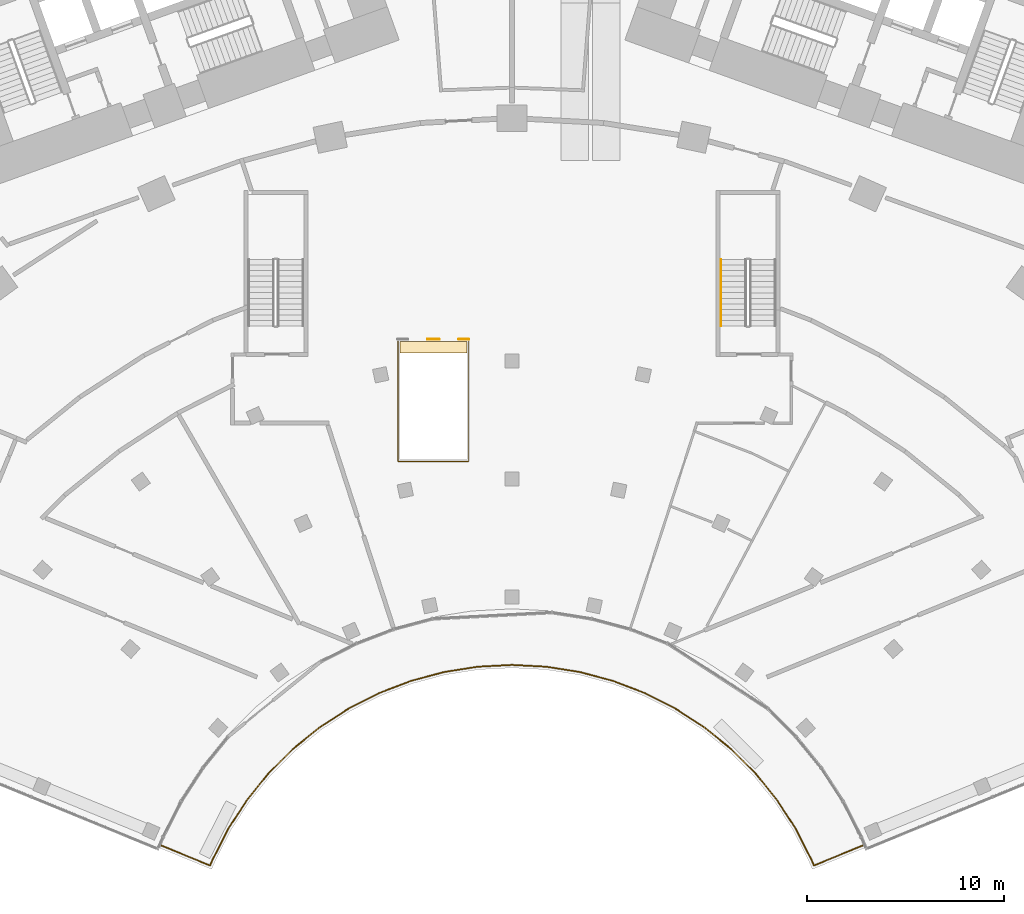
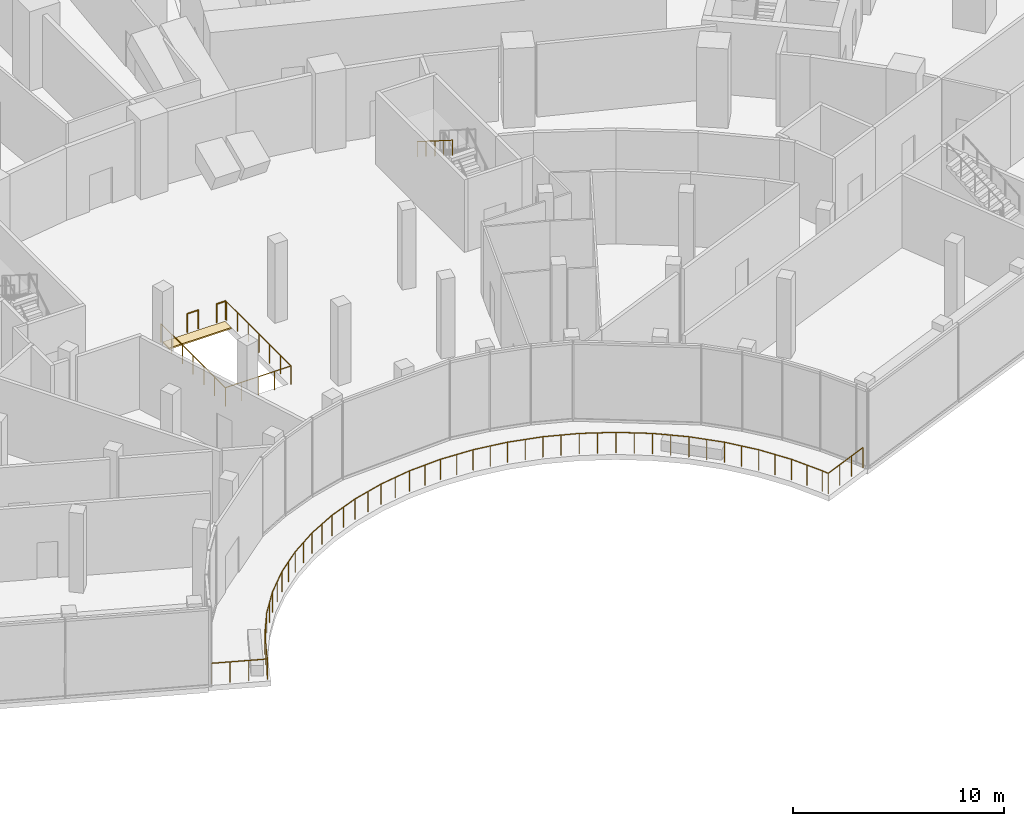
# One storey, part 35 of 40: 5 railings, 1 covering.
"""IFC4 building model written with IfcOpenShell, lengths in metres."""

from ifc_helpers import new_model, si_unit, direction, frame, origin, origin_2d, place, context, subcontext, project, spatial, polyline, circle, outline, extrude, material, layer, layer_set, type_object, element, save


model = new_model("IFC4")

# Units and contexts
model_context = context("Model", 3, precision=1e-05, world=origin(), true_north=direction((0.0, 1.0)))
body_context = subcontext(model_context, "Body", "Model", "MODEL_VIEW")
ifc_project = project(units=[si_unit("LENGTHUNIT", "METRE"), si_unit("AREAUNIT", "SQUARE_METRE"), si_unit("VOLUMEUNIT", "CUBIC_METRE"), si_unit("PLANEANGLEUNIT", "RADIAN"), si_unit("MASSUNIT", "GRAM", prefix="KILO")], contexts=[model_context])

# Site, building, storey
site_placement = place(None, origin())
site = spatial("IfcSite", under=ifc_project, at=site_placement, CompositionType="ELEMENT")
building_placement = place(site_placement, origin())
building = spatial("IfcBuilding", under=site, at=building_placement, Name="Stone Belt Terrace Tower", CompositionType="ELEMENT")
storey_placement = place(building_placement, frame((0.0, 0.0, 7.0)))
storey = spatial("IfcBuildingStorey", under=building, at=storey_placement, Name="L01", CompositionType="ELEMENT", Elevation=7.0)

# Covering
ifc_material_1 = material(Name="Stainless steel floor plate", Category="steel")
ifc_layer = layer(ifc_material_1, 0.080078125)
ifc_layer_set = layer_set([ifc_layer], Name="Escalator landing plate 80")
covering_type = type_object("IfcCoveringType", Name="Escalator landing plate 80", PredefinedType="FLOORING", material=ifc_layer_set)
covering_placement = place(storey_placement, frame((0.0, 0.0, -0.080078125)))
element("IfcCovering", 1, at=covering_placement, inside=storey, type_object=covering_type, Name="Escalator E1 landing plate", PredefinedType="FLOORING", context=body_context, shape_type="SweptSolid", body=[
    extrude(outline(polyline([(-5.699951171875, 32.5), (-5.699951171875, 33.10009765625), (-2.300048828125, 33.10009765625), (-2.300048828125, 32.5), (-5.699951171875, 32.5)])), origin(), (0.0, 0.0, 1.0), 0.080078125),
])

# Railings
ifc_material_2 = material(Name="Glass and stainless steel balustrade", Category="steel")
railing_type_1 = type_object("IfcRailingType", Name="Podium guard 1100", PredefinedType="GUARDRAIL", material=ifc_material_2)
railing_1_placement = place(storey_placement, frame((-5.800048828125, 33.10009765625, 0.0)))
element("IfcRailing", 2, at=railing_1_placement, inside=storey, type_object=railing_type_1, Name="Escalator E1 opening guard", PredefinedType="GUARDRAIL", context=body_context, shape_type="SweptSolid", body=[
    extrude(circle(Radius=0.02392578125, at=origin_2d()), frame((0.0, 0.0, 1.076171875), z_axis=(0.0, -1.0, 0.0), x_axis=(1.0, 0.0, 0.0)), (0.0, 0.0, 1.0), 6.10009765625),
    extrude(circle(Radius=0.02392578125, at=origin_2d()), frame((0.0, -6.10009765625, 1.076171875), z_axis=(1.0, 0.0, 0.0), x_axis=(0.0, 1.0, 0.0)), (0.0, 0.0, 1.0), 3.60009765625),
    extrude(circle(Radius=0.02392578125, at=origin_2d()), frame((3.60009765625, -6.10009765625, 1.076171875), z_axis=(0.0, 1.0, 0.0), x_axis=(-1.0, 0.0, 0.0)), (0.0, 0.0, 1.0), 6.10009765625),
    extrude(circle(Radius=0.02099609375, at=origin_2d()), origin(), (0.0, 0.0, 1.0), 1.052001953125),
    extrude(circle(Radius=0.02099609375, at=origin_2d()), frame((0.0, -1.0166015625, 0.0)), (0.0, 0.0, 1.0), 1.052001953125),
    extrude(circle(Radius=0.02099609375, at=origin_2d()), frame((0.0, -2.033447265625, 0.0)), (0.0, 0.0, 1.0), 1.052001953125),
    extrude(circle(Radius=0.02099609375, at=origin_2d()), frame((0.0, -3.050048828125, 0.0)), (0.0, 0.0, 1.0), 1.052001953125),
    extrude(circle(Radius=0.02099609375, at=origin_2d()), frame((0.0, -4.066650390625, 0.0)), (0.0, 0.0, 1.0), 1.052001953125),
    extrude(circle(Radius=0.02099609375, at=origin_2d()), frame((0.0, -5.08349609375, 0.0)), (0.0, 0.0, 1.0), 1.052001953125),
    extrude(circle(Radius=0.02099609375, at=origin_2d()), frame((0.0, -6.10009765625, 0.0)), (0.0, 0.0, 1.0), 1.052001953125),
    extrude(circle(Radius=0.02099609375, at=origin_2d()), frame((0.89990234375, -6.10009765625, 0.0)), (0.0, 0.0, 1.0), 1.052001953125),
    extrude(circle(Radius=0.02099609375, at=origin_2d()), frame((1.800048828125, -6.10009765625, 0.0)), (0.0, 0.0, 1.0), 1.052001953125),
    extrude(circle(Radius=0.02099609375, at=origin_2d()), frame((2.7001953125, -6.10009765625, 0.0)), (0.0, 0.0, 1.0), 1.052001953125),
    extrude(circle(Radius=0.02099609375, at=origin_2d()), frame((3.60009765625, -6.10009765625, 0.0)), (0.0, 0.0, 1.0), 1.052001953125),
    extrude(circle(Radius=0.02099609375, at=origin_2d()), frame((3.60009765625, -5.08349609375, 0.0)), (0.0, 0.0, 1.0), 1.052001953125),
    extrude(circle(Radius=0.02099609375, at=origin_2d()), frame((3.60009765625, -4.066650390625, 0.0)), (0.0, 0.0, 1.0), 1.052001953125),
    extrude(circle(Radius=0.02099609375, at=origin_2d()), frame((3.60009765625, -3.050048828125, 0.0)), (0.0, 0.0, 1.0), 1.052001953125),
    extrude(circle(Radius=0.02099609375, at=origin_2d()), frame((3.60009765625, -2.033447265625, 0.0)), (0.0, 0.0, 1.0), 1.052001953125),
    extrude(circle(Radius=0.02099609375, at=origin_2d()), frame((3.60009765625, -1.0166015625, 0.0)), (0.0, 0.0, 1.0), 1.052001953125),
    extrude(circle(Radius=0.02099609375, at=origin_2d()), frame((3.60009765625, 0.0, 0.0)), (0.0, 0.0, 1.0), 1.052001953125),
])
railing_2_placement = place(storey_placement, frame((-4.300048828125, 33.199951171875, 0.0)))
element("IfcRailing", 3, at=railing_2_placement, inside=storey, type_object=railing_type_1, Name="Escalator E1 arrival edge guard 2", PredefinedType="GUARDRAIL", context=body_context, shape_type="SweptSolid", body=[
    extrude(circle(Radius=0.02392578125, at=origin_2d()), frame((0.0, 0.0, 1.076171875), z_axis=(1.0, 0.0, 0.0), x_axis=(0.0, 1.0, 0.0)), (0.0, 0.0, 1.0), 0.60009765625),
    extrude(circle(Radius=0.02099609375, at=origin_2d()), origin(), (0.0, 0.0, 1.0), 1.052001953125),
    extrude(circle(Radius=0.02099609375, at=origin_2d()), frame((0.60009765625, 0.0, 0.0)), (0.0, 0.0, 1.0), 1.052001953125),
])
railing_3_placement = place(storey_placement, frame((-2.699951171875, 33.199951171875, 0.0)))
element("IfcRailing", 4, at=railing_3_placement, inside=storey, type_object=railing_type_1, Name="Escalator E1 arrival edge guard 3", PredefinedType="GUARDRAIL", context=body_context, shape_type="SweptSolid", body=[
    extrude(circle(Radius=0.02392578125, at=origin_2d()), frame((0.0, 0.0, 1.076171875), z_axis=(1.0, 0.0, 0.0), x_axis=(0.0, 1.0, 0.0)), (0.0, 0.0, 1.0), 0.5),
    extrude(circle(Radius=0.02099609375, at=origin_2d()), origin(), (0.0, 0.0, 1.0), 1.052001953125),
    extrude(circle(Radius=0.02099609375, at=origin_2d()), frame((0.5, 0.0, 0.0)), (0.0, 0.0, 1.0), 1.052001953125),
])
ifc_material_3 = material(Name="Stainless steel handrail", Category="steel")
railing_type_2 = type_object("IfcRailingType", Name="Podium stair handrail", PredefinedType="HANDRAIL", material=ifc_material_3)
railing_4_placement = place(storey_placement, frame((10.625, 37.25, 2.476806640625)))
element("IfcRailing", 5, at=railing_4_placement, inside=storey, type_object=railing_type_2, Name="L01 PS6 stair handrail 2", PredefinedType="HANDRAIL", context=body_context, shape_type="SweptSolid", body=[
    extrude(circle(Radius=0.02392578125, at=origin_2d()), frame((0.0, 0.0, 0.8759765625), z_axis=(0.0, -0.845361898145, 0.534194029511), x_axis=(1.0, 0.0, 0.0)), (0.0, 0.0, 1.0), 3.974853515625),
    extrude(circle(Radius=0.02099609375, at=origin_2d()), origin(), (0.0, 0.0, 1.0), 0.851806640625),
    extrude(circle(Radius=0.02099609375, at=origin_2d()), frame((0.0, -0.840087890625, 0.53076171875)), (0.0, 0.0, 1.0), 0.851806640625),
    extrude(circle(Radius=0.02099609375, at=origin_2d()), frame((0.0, -1.68017578125, 1.0615234375)), (0.0, 0.0, 1.0), 0.851806640625),
    extrude(circle(Radius=0.02099609375, at=origin_2d()), frame((0.0, -2.52001953125, 1.592529296875)), (0.0, 0.0, 1.0), 0.851806640625),
    extrude(circle(Radius=0.02099609375, at=origin_2d()), frame((0.0, -3.360107421875, 2.123291015625)), (0.0, 0.0, 1.0), 0.851806640625),
])
ifc_material_4 = material(Name="Stainless steel AISI 304", Category="steel")
railing_type_3 = type_object("IfcRailingType", Name="Terrace guard 1200", PredefinedType="GUARDRAIL", material=ifc_material_4)
railing_5_placement = place(storey_placement, frame((-17.845458984375, 7.476318359375, 0.0)))
element("IfcRailing", 6, at=railing_5_placement, inside=storey, type_object=railing_type_3, Name="GUARD L01 1.1", PredefinedType="GUARDRAIL", context=body_context, shape_type="SweptSolid", body=[
    extrude(circle(Radius=0.02490234375, at=origin_2d()), frame((0.0, 0.0, 1.1748046875), z_axis=(0.925300457224, -0.379234839988, 0.0), x_axis=(0.379234839988, 0.925300457224, 0.0)), (0.0, 0.0, 1.0), 2.699951171875),
    extrude(circle(Radius=0.02490234375, at=origin_2d()), frame((2.498291015625, -1.02392578125, 1.1748046875), z_axis=(0.392910121106, 0.919576879185, 0.0), x_axis=(-0.919576879185, 0.392910121106, 0.0)), (0.0, 0.0, 1.0), 0.350341796875),
    extrude(circle(Radius=0.02490234375, at=origin_2d()), frame((2.635986328125, -0.70166015625, 1.1748046875), z_axis=(0.453990930802, 0.891006304551, 0.0), x_axis=(-0.891006304551, 0.453990930802, 0.0)), (0.0, 0.0, 1.0), 1.740234375),
    extrude(circle(Radius=0.02490234375, at=origin_2d()), frame((3.426025390625, 0.848876953125, 1.1748046875), z_axis=(0.544638713763, 0.838670776569, 0.0), x_axis=(-0.838670776569, 0.544638713763, 0.0)), (0.0, 0.0, 1.0), 1.742919921875),
    extrude(circle(Radius=0.02490234375, at=origin_2d()), frame((4.375244140625, 2.310546875, 1.1748046875), z_axis=(0.629331218924, 0.777137193092, 0.0), x_axis=(-0.777137193092, 0.629331218924, 0.0)), (0.0, 0.0, 1.0), 1.74267578125),
    extrude(circle(Radius=0.02490234375, at=origin_2d()), frame((5.471923828125, 3.664794921875, 1.1748046875), z_axis=(0.707106781187, 0.707106781187, 0.0), x_axis=(-0.707106781187, 0.707106781187, 0.0)), (0.0, 0.0, 1.0), 1.742919921875),
    extrude(circle(Radius=0.02490234375, at=origin_2d()), frame((6.704345703125, 4.897216796875, 1.1748046875), z_axis=(0.777137193092, 0.629331218924, 0.0), x_axis=(-0.629331218924, 0.777137193092, 0.0)), (0.0, 0.0, 1.0), 1.74267578125),
    extrude(circle(Radius=0.02490234375, at=origin_2d()), frame((8.05859375, 5.993896484375, 1.1748046875), z_axis=(0.838670776569, 0.544638713763, 0.0), x_axis=(-0.544638713763, 0.838670776569, 0.0)), (0.0, 0.0, 1.0), 1.742919921875),
    extrude(circle(Radius=0.02490234375, at=origin_2d()), frame((9.520263671875, 6.943115234375, 1.1748046875), z_axis=(0.89101170207, 0.453980337432, 0.0), x_axis=(-0.453980337432, 0.89101170207, 0.0)), (0.0, 0.0, 1.0), 1.742919921875),
    extrude(circle(Radius=0.02490234375, at=origin_2d()), frame((11.0732421875, 7.734375, 1.1748046875), z_axis=(0.933583704085, 0.358359411022, 0.0), x_axis=(-0.358359411022, 0.933583704085, 0.0)), (0.0, 0.0, 1.0), 1.74267578125),
    extrude(circle(Radius=0.02490234375, at=origin_2d()), frame((12.7001953125, 8.35888671875, 1.1748046875), z_axis=(0.965918039083, 0.258848105601, 0.0), x_axis=(-0.258848105601, 0.965918039083, 0.0)), (0.0, 0.0, 1.0), 1.742919921875),
    extrude(circle(Radius=0.02490234375, at=origin_2d()), frame((14.3837890625, 8.81005859375, 1.1748046875), z_axis=(0.987679903771, 0.156487723761, 0.0), x_axis=(-0.156487723761, 0.987679903771, 0.0)), (0.0, 0.0, 1.0), 1.74267578125),
    extrude(circle(Radius=0.02490234375, at=origin_2d()), frame((16.10498046875, 9.082763671875, 1.1748046875), z_axis=(0.998634034025, 0.052250034323, 0.0), x_axis=(-0.052250034323, 0.998634034025, 0.0)), (0.0, 0.0, 1.0), 1.742919921875),
    extrude(circle(Radius=0.02490234375, at=origin_2d()), frame((17.845458984375, 9.173828125, 1.1748046875), z_axis=(0.998634034025, -0.052250034323, 0.0), x_axis=(0.052250034323, 0.998634034025, 0.0)), (0.0, 0.0, 1.0), 1.742919921875),
    extrude(circle(Radius=0.02490234375, at=origin_2d()), frame((19.5859375, 9.082763671875, 1.1748046875), z_axis=(0.987679903771, -0.156487723761, 0.0), x_axis=(0.156487723761, 0.987679903771, 0.0)), (0.0, 0.0, 1.0), 1.74267578125),
    extrude(circle(Radius=0.02490234375, at=origin_2d()), frame((21.30712890625, 8.81005859375, 1.1748046875), z_axis=(0.965918039083, -0.258848105601, 0.0), x_axis=(0.258848105601, 0.965918039083, 0.0)), (0.0, 0.0, 1.0), 1.742919921875),
    extrude(circle(Radius=0.02490234375, at=origin_2d()), frame((22.99072265625, 8.35888671875, 1.1748046875), z_axis=(0.933583704085, -0.358359411022, 0.0), x_axis=(0.358359411022, 0.933583704085, 0.0)), (0.0, 0.0, 1.0), 1.74267578125),
    extrude(circle(Radius=0.02490234375, at=origin_2d()), frame((24.61767578125, 7.734375, 1.1748046875), z_axis=(0.89101170207, -0.453980337432, 0.0), x_axis=(0.453980337432, 0.89101170207, 0.0)), (0.0, 0.0, 1.0), 1.742919921875),
    extrude(circle(Radius=0.02490234375, at=origin_2d()), frame((26.170654296875, 6.943115234375, 1.1748046875), z_axis=(0.838670776569, -0.544638713763, 0.0), x_axis=(0.544638713763, 0.838670776569, 0.0)), (0.0, 0.0, 1.0), 1.742919921875),
    extrude(circle(Radius=0.02490234375, at=origin_2d()), frame((27.63232421875, 5.993896484375, 1.1748046875), z_axis=(0.777137193092, -0.629331218924, 0.0), x_axis=(0.629331218924, 0.777137193092, 0.0)), (0.0, 0.0, 1.0), 1.74267578125),
    extrude(circle(Radius=0.02490234375, at=origin_2d()), frame((28.986572265625, 4.897216796875, 1.1748046875), z_axis=(0.707106781187, -0.707106781187, 0.0), x_axis=(0.707106781187, 0.707106781187, 0.0)), (0.0, 0.0, 1.0), 1.742919921875),
    extrude(circle(Radius=0.02490234375, at=origin_2d()), frame((30.218994140625, 3.664794921875, 1.1748046875), z_axis=(0.629331218924, -0.777137193092, 0.0), x_axis=(0.777137193092, 0.629331218924, 0.0)), (0.0, 0.0, 1.0), 1.74267578125),
    extrude(circle(Radius=0.02490234375, at=origin_2d()), frame((31.315673828125, 2.310546875, 1.1748046875), z_axis=(0.544638713763, -0.838670776569, 0.0), x_axis=(0.838670776569, 0.544638713763, 0.0)), (0.0, 0.0, 1.0), 1.742919921875),
    extrude(circle(Radius=0.02490234375, at=origin_2d()), frame((32.264892578125, 0.848876953125, 1.1748046875), z_axis=(0.453990930802, -0.891006304551, 0.0), x_axis=(0.891006304551, 0.453990930802, 0.0)), (0.0, 0.0, 1.0), 1.740234375),
    extrude(circle(Radius=0.02490234375, at=origin_2d()), frame((33.054931640625, -0.70166015625, 1.1748046875), z_axis=(0.392910121106, -0.919576879185, 0.0), x_axis=(0.919576879185, 0.392910121106, 0.0)), (0.0, 0.0, 1.0), 0.350341796875),
    extrude(circle(Radius=0.02490234375, at=origin_2d()), frame((33.192626953125, -1.02392578125, 1.1748046875), z_axis=(0.925300457224, 0.379234839988, 0.0), x_axis=(-0.379234839988, 0.925300457224, 0.0)), (0.0, 0.0, 1.0), 2.699951171875),
    extrude(circle(Radius=0.02001953125, at=origin_2d()), origin(), (0.0, 0.0, 1.0), 1.14990234375),
    extrude(circle(Radius=0.02001953125, at=origin_2d()), frame((0.832763671875, -0.34130859375, 0.0)), (0.0, 0.0, 1.0), 1.14990234375),
    extrude(circle(Radius=0.02001953125, at=origin_2d()), frame((1.66552734375, -0.6826171875, 0.0)), (0.0, 0.0, 1.0), 1.14990234375),
    extrude(circle(Radius=0.02001953125, at=origin_2d()), frame((2.498291015625, -1.02392578125, 0.0)), (0.0, 0.0, 1.0), 1.14990234375),
    extrude(circle(Radius=0.02001953125, at=origin_2d()), frame((2.635986328125, -0.70166015625, 0.0)), (0.0, 0.0, 1.0), 1.14990234375),
    extrude(circle(Radius=0.02001953125, at=origin_2d()), frame((3.031005859375, 0.07373046875, 0.0)), (0.0, 0.0, 1.0), 1.14990234375),
    extrude(circle(Radius=0.02001953125, at=origin_2d()), frame((3.426025390625, 0.848876953125, 0.0)), (0.0, 0.0, 1.0), 1.14990234375),
    extrude(circle(Radius=0.02001953125, at=origin_2d()), frame((3.900634765625, 1.57958984375, 0.0)), (0.0, 0.0, 1.0), 1.14990234375),
    extrude(circle(Radius=0.02001953125, at=origin_2d()), frame((4.375244140625, 2.310546875, 0.0)), (0.0, 0.0, 1.0), 1.14990234375),
    extrude(circle(Radius=0.02001953125, at=origin_2d()), frame((4.923583984375, 2.98779296875, 0.0)), (0.0, 0.0, 1.0), 1.14990234375),
    extrude(circle(Radius=0.02001953125, at=origin_2d()), frame((5.471923828125, 3.664794921875, 0.0)), (0.0, 0.0, 1.0), 1.14990234375),
    extrude(circle(Radius=0.02001953125, at=origin_2d()), frame((6.088134765625, 4.281005859375, 0.0)), (0.0, 0.0, 1.0), 1.14990234375),
    extrude(circle(Radius=0.02001953125, at=origin_2d()), frame((6.704345703125, 4.897216796875, 0.0)), (0.0, 0.0, 1.0), 1.14990234375),
    extrude(circle(Radius=0.02001953125, at=origin_2d()), frame((7.38134765625, 5.445556640625, 0.0)), (0.0, 0.0, 1.0), 1.14990234375),
    extrude(circle(Radius=0.02001953125, at=origin_2d()), frame((8.05859375, 5.993896484375, 0.0)), (0.0, 0.0, 1.0), 1.14990234375),
    extrude(circle(Radius=0.02001953125, at=origin_2d()), frame((8.78955078125, 6.468505859375, 0.0)), (0.0, 0.0, 1.0), 1.14990234375),
    extrude(circle(Radius=0.02001953125, at=origin_2d()), frame((9.520263671875, 6.943115234375, 0.0)), (0.0, 0.0, 1.0), 1.14990234375),
    extrude(circle(Radius=0.02001953125, at=origin_2d()), frame((10.296875, 7.3388671875, 0.0)), (0.0, 0.0, 1.0), 1.14990234375),
    extrude(circle(Radius=0.02001953125, at=origin_2d()), frame((11.0732421875, 7.734375, 0.0)), (0.0, 0.0, 1.0), 1.14990234375),
    extrude(circle(Radius=0.02001953125, at=origin_2d()), frame((11.88671875, 8.046630859375, 0.0)), (0.0, 0.0, 1.0), 1.14990234375),
    extrude(circle(Radius=0.02001953125, at=origin_2d()), frame((12.7001953125, 8.35888671875, 0.0)), (0.0, 0.0, 1.0), 1.14990234375),
    extrude(circle(Radius=0.02001953125, at=origin_2d()), frame((13.5419921875, 8.58447265625, 0.0)), (0.0, 0.0, 1.0), 1.14990234375),
    extrude(circle(Radius=0.02001953125, at=origin_2d()), frame((14.3837890625, 8.81005859375, 0.0)), (0.0, 0.0, 1.0), 1.14990234375),
    extrude(circle(Radius=0.02001953125, at=origin_2d()), frame((15.244384765625, 8.9462890625, 0.0)), (0.0, 0.0, 1.0), 1.14990234375),
    extrude(circle(Radius=0.02001953125, at=origin_2d()), frame((16.10498046875, 9.082763671875, 0.0)), (0.0, 0.0, 1.0), 1.14990234375),
    extrude(circle(Radius=0.02001953125, at=origin_2d()), frame((16.97509765625, 9.12841796875, 0.0)), (0.0, 0.0, 1.0), 1.14990234375),
    extrude(circle(Radius=0.02001953125, at=origin_2d()), frame((17.845458984375, 9.173828125, 0.0)), (0.0, 0.0, 1.0), 1.14990234375),
    extrude(circle(Radius=0.02001953125, at=origin_2d()), frame((18.7158203125, 9.12841796875, 0.0)), (0.0, 0.0, 1.0), 1.14990234375),
    extrude(circle(Radius=0.02001953125, at=origin_2d()), frame((19.5859375, 9.082763671875, 0.0)), (0.0, 0.0, 1.0), 1.14990234375),
    extrude(circle(Radius=0.02001953125, at=origin_2d()), frame((20.446533203125, 8.9462890625, 0.0)), (0.0, 0.0, 1.0), 1.14990234375),
    extrude(circle(Radius=0.02001953125, at=origin_2d()), frame((21.30712890625, 8.81005859375, 0.0)), (0.0, 0.0, 1.0), 1.14990234375),
    extrude(circle(Radius=0.02001953125, at=origin_2d()), frame((22.14892578125, 8.58447265625, 0.0)), (0.0, 0.0, 1.0), 1.14990234375),
    extrude(circle(Radius=0.02001953125, at=origin_2d()), frame((22.99072265625, 8.35888671875, 0.0)), (0.0, 0.0, 1.0), 1.14990234375),
    extrude(circle(Radius=0.02001953125, at=origin_2d()), frame((23.80419921875, 8.046630859375, 0.0)), (0.0, 0.0, 1.0), 1.14990234375),
    extrude(circle(Radius=0.02001953125, at=origin_2d()), frame((24.61767578125, 7.734375, 0.0)), (0.0, 0.0, 1.0), 1.14990234375),
    extrude(circle(Radius=0.02001953125, at=origin_2d()), frame((25.39404296875, 7.3388671875, 0.0)), (0.0, 0.0, 1.0), 1.14990234375),
    extrude(circle(Radius=0.02001953125, at=origin_2d()), frame((26.170654296875, 6.943115234375, 0.0)), (0.0, 0.0, 1.0), 1.14990234375),
    extrude(circle(Radius=0.02001953125, at=origin_2d()), frame((26.9013671875, 6.468505859375, 0.0)), (0.0, 0.0, 1.0), 1.14990234375),
    extrude(circle(Radius=0.02001953125, at=origin_2d()), frame((27.63232421875, 5.993896484375, 0.0)), (0.0, 0.0, 1.0), 1.14990234375),
    extrude(circle(Radius=0.02001953125, at=origin_2d()), frame((28.3095703125, 5.445556640625, 0.0)), (0.0, 0.0, 1.0), 1.14990234375),
    extrude(circle(Radius=0.02001953125, at=origin_2d()), frame((28.986572265625, 4.897216796875, 0.0)), (0.0, 0.0, 1.0), 1.14990234375),
    extrude(circle(Radius=0.02001953125, at=origin_2d()), frame((29.602783203125, 4.281005859375, 0.0)), (0.0, 0.0, 1.0), 1.14990234375),
    extrude(circle(Radius=0.02001953125, at=origin_2d()), frame((30.218994140625, 3.664794921875, 0.0)), (0.0, 0.0, 1.0), 1.14990234375),
    extrude(circle(Radius=0.02001953125, at=origin_2d()), frame((30.767333984375, 2.98779296875, 0.0)), (0.0, 0.0, 1.0), 1.14990234375),
    extrude(circle(Radius=0.02001953125, at=origin_2d()), frame((31.315673828125, 2.310546875, 0.0)), (0.0, 0.0, 1.0), 1.14990234375),
    extrude(circle(Radius=0.02001953125, at=origin_2d()), frame((31.790283203125, 1.57958984375, 0.0)), (0.0, 0.0, 1.0), 1.14990234375),
    extrude(circle(Radius=0.02001953125, at=origin_2d()), frame((32.264892578125, 0.848876953125, 0.0)), (0.0, 0.0, 1.0), 1.14990234375),
    extrude(circle(Radius=0.02001953125, at=origin_2d()), frame((32.659912109375, 0.07373046875, 0.0)), (0.0, 0.0, 1.0), 1.14990234375),
    extrude(circle(Radius=0.02001953125, at=origin_2d()), frame((33.054931640625, -0.70166015625, 0.0)), (0.0, 0.0, 1.0), 1.14990234375),
    extrude(circle(Radius=0.02001953125, at=origin_2d()), frame((33.192626953125, -1.02392578125, 0.0)), (0.0, 0.0, 1.0), 1.14990234375),
    extrude(circle(Radius=0.02001953125, at=origin_2d()), frame((34.025390625, -0.6826171875, 0.0)), (0.0, 0.0, 1.0), 1.14990234375),
    extrude(circle(Radius=0.02001953125, at=origin_2d()), frame((34.858154296875, -0.34130859375, 0.0)), (0.0, 0.0, 1.0), 1.14990234375),
    extrude(circle(Radius=0.02001953125, at=origin_2d()), frame((35.69091796875, 0.0, 0.0)), (0.0, 0.0, 1.0), 1.14990234375),
])

save(model, "model.ifc")
